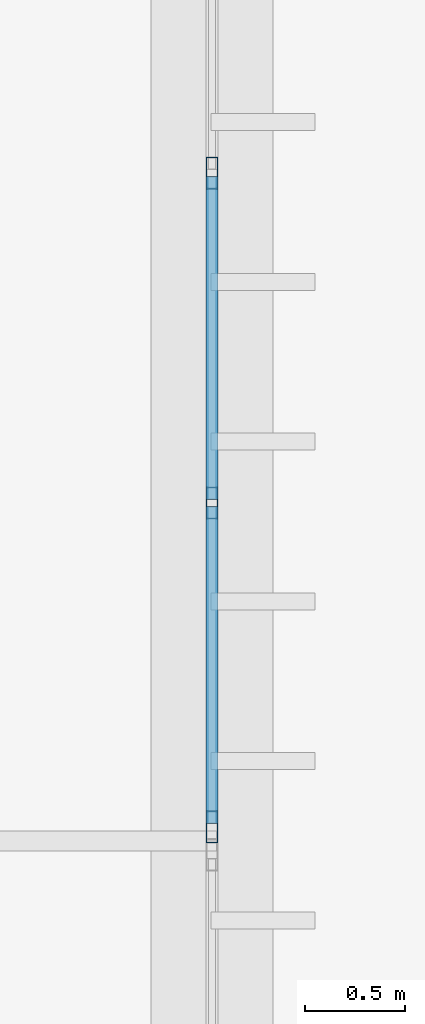
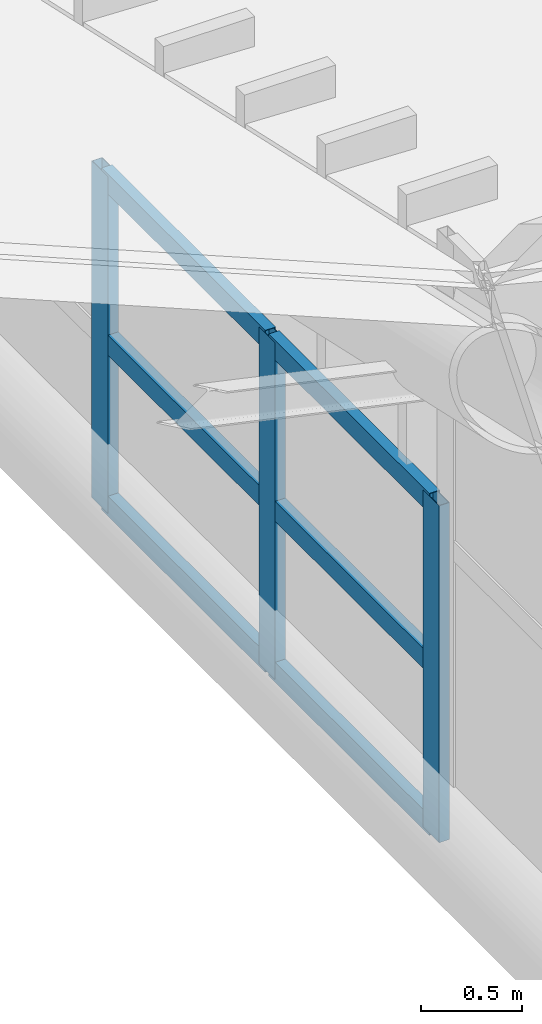
# One storey, part 348 of 397: 9 members, 1 element without a shape of its own.
"""IFC4 building model written with IfcOpenShell, lengths in metres."""

from ifc_helpers import new_model, si_unit, direction, frame, origin, origin_2d, place, context, subcontext, project, spatial, hollow_rectangle, extrude, material, material_profile, profile_set, type_object, element, aggregate, save


model = new_model("IFC4")

# Units and contexts
model_context = context("Model", 3, precision=1e-05, world=origin(), true_north=direction((0.0, 1.0)))
body_context = subcontext(model_context, "Body", "Model", "MODEL_VIEW")
ifc_project = project(units=[si_unit("LENGTHUNIT", "METRE"), si_unit("AREAUNIT", "SQUARE_METRE"), si_unit("VOLUMEUNIT", "CUBIC_METRE"), si_unit("PLANEANGLEUNIT", "RADIAN"), si_unit("MASSUNIT", "GRAM", prefix="KILO")], contexts=[model_context])

# Site, building, storey
site_placement = place(None, origin())
site = spatial("IfcSite", under=ifc_project, at=site_placement, CompositionType="ELEMENT")
building_placement = place(site_placement, origin())
building = spatial("IfcBuilding", under=site, at=building_placement, Name="Qandorah Velis Arena", CompositionType="ELEMENT")
storey_placement = place(building_placement, frame((0.0, 0.0, 27.5)))
storey = spatial("IfcBuildingStorey", under=building, at=storey_placement, Name="RF", CompositionType="ELEMENT", Elevation=27.5)

# Curtain wall, members
ifc_material_1 = material(Name="Solar-control low-E double glazing", Category="glass")
curtain_wall_type = type_object("IfcCurtainWallType", Name="ARC-CW-SYS17", PredefinedType="USERDEFINED", material=ifc_material_1)
curtain_wall_placement = place(storey_placement, origin())
curtain_wall = element("IfcCurtainWall", 1, at=curtain_wall_placement, inside=storey, type_object=curtain_wall_type, Name="Unitised curtain wall CROWN-2-08S2", ObjectType="UNITISED CURTAIN WALL", PredefinedType="USERDEFINED")
ifc_material_2 = material(Name="Champagne-bronze anodized aluminium 6063-T6", Category="aluminium")
ifc_material_profile_1 = material_profile(ifc_material_2, hollow_rectangle(XDim=0.06005859375, YDim=0.159912109375, WallThickness=0.00341796875, at=origin_2d()), Name="ALU MULLION 60x160")
ifc_profile_set_1 = profile_set([ifc_material_profile_1], Name="Champagne-bronze anodized aluminium 6063-T6")
member_type_1 = type_object("IfcMemberType", Name="ARC-CWM-160", PredefinedType="MULLION", material=ifc_profile_set_1)
member_1_placement = place(storey_placement, frame((115.199951171875, 108.070068359375, -0.014892578125), z_axis=(0.0, 0.0, 1.0), x_axis=(-1.0, 0.0, 0.0)))
member_1 = element("IfcMember", 2, at=member_1_placement, type_object=member_type_1, Name="CW17 mullion 1", PredefinedType="MULLION", context=body_context, shape_type="SweptSolid", body=[
    extrude(hollow_rectangle(XDim=0.06005859375, YDim=0.159912109375, WallThickness=0.00341796875, at=origin_2d()), origin(), (0.0, 0.0, 1.0), 2.03271484375),
])
member_2_placement = place(storey_placement, frame((115.199951171875, 109.6923828125, -0.014892578125), z_axis=(0.0, 0.0, 1.0), x_axis=(-1.0, 0.0, 0.0)))
member_2 = element("IfcMember", 3, at=member_2_placement, type_object=member_type_1, Name="CW17 mullion 2", PredefinedType="MULLION", context=body_context, shape_type="SweptSolid", body=[
    extrude(hollow_rectangle(XDim=0.06005859375, YDim=0.159912109375, WallThickness=0.00341796875, at=origin_2d()), origin(), (0.0, 0.0, 1.0), 2.03271484375),
])
member_3_placement = place(storey_placement, frame((115.199951171875, 111.344970703125, -0.014892578125), z_axis=(0.0, 0.0, 1.0), x_axis=(-1.0, 0.0, 0.0)))
member_3 = element("IfcMember", 4, at=member_3_placement, type_object=member_type_1, Name="CW17 mullion 3", PredefinedType="MULLION", context=body_context, shape_type="SweptSolid", body=[
    extrude(hollow_rectangle(XDim=0.06005859375, YDim=0.159912109375, WallThickness=0.00341796875, at=origin_2d()), origin(), (0.0, 0.0, 1.0), 2.03271484375),
])
ifc_material_profile_2 = material_profile(ifc_material_2, hollow_rectangle(XDim=0.06005859375, YDim=0.1201171875, WallThickness=0.0029296875, at=origin_2d()), Name="ALU TRANSOM 60x120")
ifc_profile_set_2 = profile_set([ifc_material_profile_2], Name="Champagne-bronze anodized aluminium 6063-T6")
member_type_2 = type_object("IfcMemberType", Name="ARC-CWT-120", PredefinedType="USERDEFINED", material=ifc_profile_set_2)
member_4_placement = place(storey_placement, frame((115.199951171875, 108.087890625, 0.030029296875), z_axis=(0.0, 1.0, 0.0), x_axis=(-1.0, 0.0, 0.0)))
member_4 = element("IfcMember", 5, at=member_4_placement, type_object=member_type_2, Name="CW17 transom 1.1", ObjectType="TRANSOM", PredefinedType="USERDEFINED", context=body_context, shape_type="SweptSolid", body=[
    extrude(hollow_rectangle(XDim=0.06005859375, YDim=0.1201171875, WallThickness=0.0029296875, at=origin_2d()), origin(), (0.0, 0.0, 1.0), 1.586669921875),
])
member_5_placement = place(storey_placement, frame((115.199951171875, 108.087890625, 1.00146484375), z_axis=(0.0, 1.0, 0.0), x_axis=(-1.0, 0.0, 0.0)))
member_5 = element("IfcMember", 6, at=member_5_placement, type_object=member_type_2, Name="CW17 transom 1.2", ObjectType="TRANSOM", PredefinedType="USERDEFINED", context=body_context, shape_type="SweptSolid", body=[
    extrude(hollow_rectangle(XDim=0.06005859375, YDim=0.1201171875, WallThickness=0.0029296875, at=origin_2d()), origin(), (0.0, 0.0, 1.0), 1.586669921875),
])
member_6_placement = place(storey_placement, frame((115.199951171875, 108.087890625, 1.972900390625), z_axis=(0.0, 1.0, 0.0), x_axis=(-1.0, 0.0, 0.0)))
member_6 = element("IfcMember", 7, at=member_6_placement, type_object=member_type_2, Name="CW17 transom 1.3", ObjectType="TRANSOM", PredefinedType="USERDEFINED", context=body_context, shape_type="SweptSolid", body=[
    extrude(hollow_rectangle(XDim=0.06005859375, YDim=0.1201171875, WallThickness=0.0029296875, at=origin_2d()), origin(), (0.0, 0.0, 1.0), 1.586669921875),
])
member_7_placement = place(storey_placement, frame((115.199951171875, 109.71044921875, 0.030029296875), z_axis=(0.0, 1.0, 0.0), x_axis=(-1.0, 0.0, 0.0)))
member_7 = element("IfcMember", 8, at=member_7_placement, type_object=member_type_2, Name="CW17 transom 2.1", ObjectType="TRANSOM", PredefinedType="USERDEFINED", context=body_context, shape_type="SweptSolid", body=[
    extrude(hollow_rectangle(XDim=0.06005859375, YDim=0.1201171875, WallThickness=0.0029296875, at=origin_2d()), origin(), (0.0, 0.0, 1.0), 1.616455078125),
])
member_8_placement = place(storey_placement, frame((115.199951171875, 109.71044921875, 1.00146484375), z_axis=(0.0, 1.0, 0.0), x_axis=(-1.0, 0.0, 0.0)))
member_8 = element("IfcMember", 9, at=member_8_placement, type_object=member_type_2, Name="CW17 transom 2.2", ObjectType="TRANSOM", PredefinedType="USERDEFINED", context=body_context, shape_type="SweptSolid", body=[
    extrude(hollow_rectangle(XDim=0.06005859375, YDim=0.1201171875, WallThickness=0.0029296875, at=origin_2d()), origin(), (0.0, 0.0, 1.0), 1.616455078125),
])
member_9_placement = place(storey_placement, frame((115.199951171875, 109.71044921875, 1.972900390625), z_axis=(0.0, 1.0, 0.0), x_axis=(-1.0, 0.0, 0.0)))
member_9 = element("IfcMember", 10, at=member_9_placement, type_object=member_type_2, Name="CW17 transom 2.3", ObjectType="TRANSOM", PredefinedType="USERDEFINED", context=body_context, shape_type="SweptSolid", body=[
    extrude(hollow_rectangle(XDim=0.06005859375, YDim=0.1201171875, WallThickness=0.0029296875, at=origin_2d()), origin(), (0.0, 0.0, 1.0), 1.616455078125),
])
aggregate(curtain_wall, [member_1, member_2, member_3, member_4, member_5, member_6, member_7, member_8, member_9])

save(model, "model.ifc")
